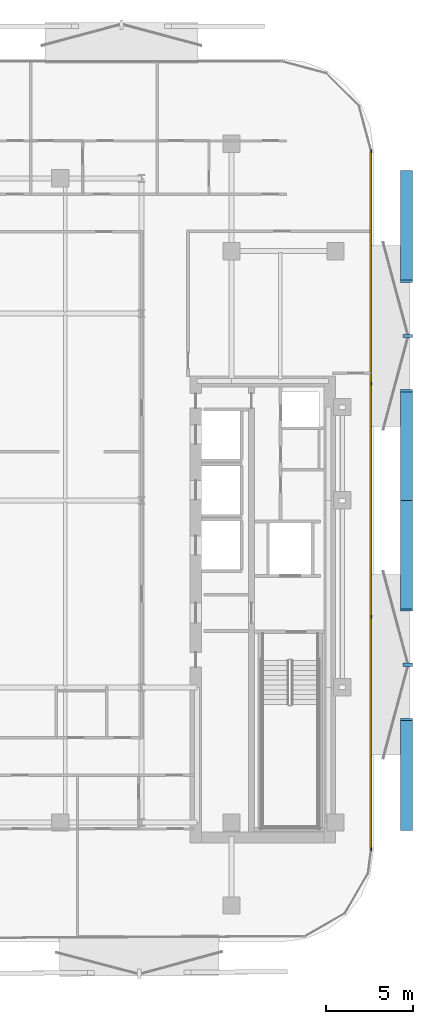
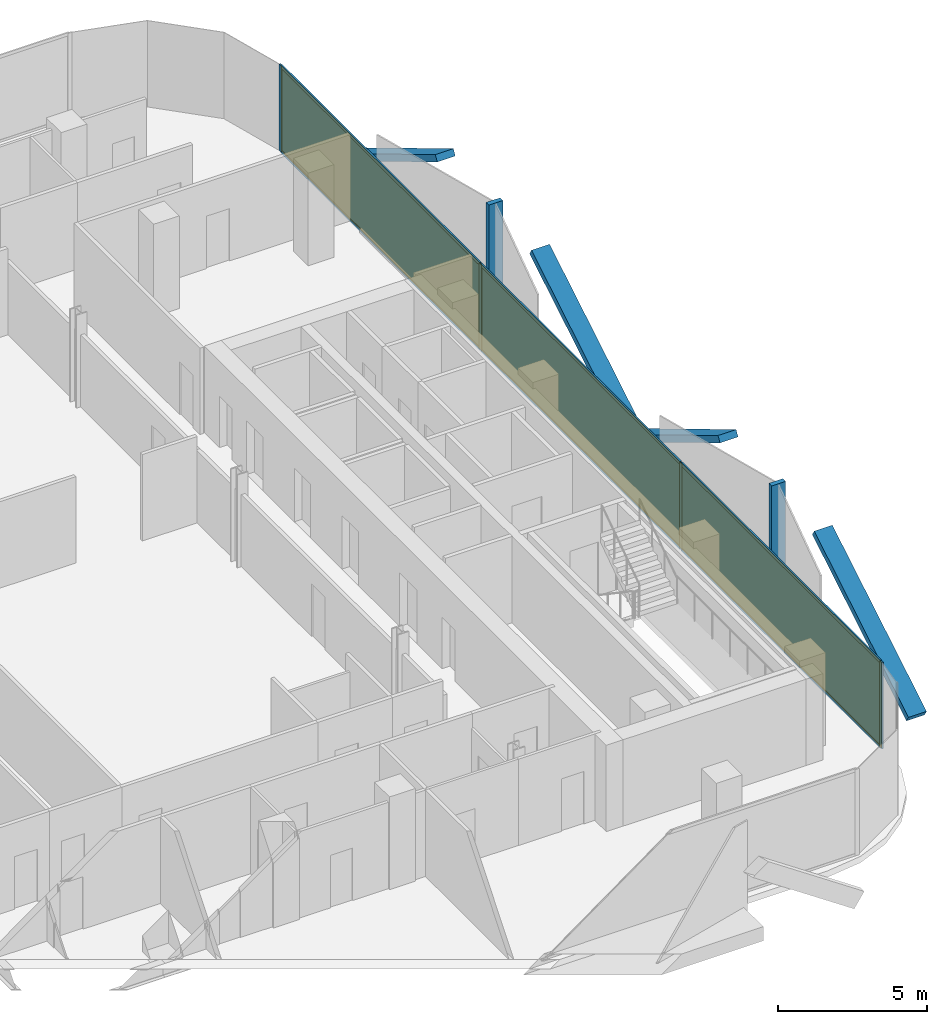
# One storey, part 11 of 17: 16 members, 3 plates, 1 curtain wall.
"""IFC4 building model written with IfcOpenShell, lengths in metres."""

from ifc_helpers import new_model, si_unit, direction, frame, frame_2d, origin, origin_2d, place, context, subcontext, project, spatial, rectangle, extrude, material, layer, layer_set, material_profile, profile_set, type_object, element, aggregate, save


model = new_model("IFC4")

# Units and contexts
model_context = context("Model", 3, precision=1e-05, world=origin(), true_north=direction((0.0, 1.0)))
body_context = subcontext(model_context, "Body", "Model", "MODEL_VIEW")
ifc_project = project(units=[si_unit("LENGTHUNIT", "METRE"), si_unit("AREAUNIT", "SQUARE_METRE"), si_unit("VOLUMEUNIT", "CUBIC_METRE"), si_unit("PLANEANGLEUNIT", "RADIAN"), si_unit("MASSUNIT", "GRAM", prefix="KILO")], contexts=[model_context])

# Member
ifc_material_1 = material(Name="Anodised Bronze Aluminium 6063-T6", Category="aluminium")
ifc_material_profile_1 = material_profile(ifc_material_1, rectangle(XDim=0.260009765625, YDim=0.699951171875, at=origin_2d()))
ifc_profile_set_1 = profile_set([ifc_material_profile_1], Name="Anodised Bronze Aluminium 6063-T6")
member_type_1 = type_object("IfcMemberType", Name="Bronze Diamond Solar-Screen Lattice Rib BDL-700", PredefinedType="MULLION", material=ifc_profile_set_1)
site_placement = place(None, origin())
building_placement = place(site_placement, origin())
storey_placement = place(building_placement, frame((0.0, 0.0, 195.39990234375)))
member_1_placement = place(storey_placement, frame((24.5, 18.99072265625, -0.1298828125), z_axis=(0.0, -0.857382035675, 0.514680527027), x_axis=(0.0, -0.514680527027, -0.857382035675)))
member_1 = element("IfcMember", 1, at=member_1_placement, type_object=member_type_1, Name="L45 Bronze Diamond Solar Screen Lattice Rib 303A", PredefinedType="MULLION", context=body_context, shape_type="SweptSolid", body=[
    extrude(rectangle(XDim=0.260009765625, YDim=0.699951171875, at=origin_2d()), origin(), (0.0, 0.0, 1.0), 7.38330078125),
])

member_2_placement = place(storey_placement, frame((24.5, 0.0, -0.1298828125), z_axis=(0.0, 0.857382035675, 0.514680527027), x_axis=(0.0, 0.514680527027, -0.857382035675)))
member_2 = element("IfcMember", 2, at=member_2_placement, type_object=member_type_1, Name="L45 Bronze Diamond Solar Screen Lattice Rib 303B", PredefinedType="MULLION", context=body_context, shape_type="SweptSolid", body=[
    extrude(rectangle(XDim=0.260009765625, YDim=0.699951171875, at=origin_2d()), origin(), (0.0, 0.0, 1.0), 7.38330078125),
])

member_3_placement = place(storey_placement, frame((24.5, 0.0, -0.1298828125), z_axis=(0.0, -0.857382035675, 0.514680527027), x_axis=(0.0, -0.514680527027, -0.857382035675)))
member_3 = element("IfcMember", 3, at=member_3_placement, type_object=member_type_1, Name="L45 Bronze Diamond Solar Screen Lattice Rib 304A", PredefinedType="MULLION", context=body_context, shape_type="SweptSolid", body=[
    extrude(rectangle(XDim=0.260009765625, YDim=0.699951171875, at=origin_2d()), origin(), (0.0, 0.0, 1.0), 7.38330078125),
])

member_4_placement = place(storey_placement, frame((24.5, -18.99072265625, -0.1298828125), z_axis=(0.0, 0.857382035675, 0.514680527027), x_axis=(0.0, 0.514680527027, -0.857382035675)))
member_4 = element("IfcMember", 4, at=member_4_placement, type_object=member_type_1, Name="L45 Bronze Diamond Solar Screen Lattice Rib 304B", PredefinedType="MULLION", context=body_context, shape_type="SweptSolid", body=[
    extrude(rectangle(XDim=0.260009765625, YDim=0.699951171875, at=origin_2d()), origin(), (0.0, 0.0, 1.0), 7.38330078125),
])

ifc_material_2 = material(Name="Anodised Bronze Aluminium 6063-T6", Category="aluminium")
ifc_material_profile_2 = material_profile(ifc_material_2, rectangle(XDim=0.179931640625, YDim=0.5400390625, at=origin_2d()))
ifc_profile_set_2 = profile_set([ifc_material_profile_2], Name="Anodised Bronze Aluminium 6063-T6")
member_type_2 = type_object("IfcMemberType", Name="Bronze Solar-Screen Vertical Fold Fin BSF-540", PredefinedType="MULLION", material=ifc_profile_set_2)
member_5_placement = place(storey_placement, frame((24.580078125, 9.495361328125, -0.1298828125), z_axis=(0.0, 0.0, 1.0), x_axis=(0.0, -1.0, 0.0)))
member_5 = element("IfcMember", 5, at=member_5_placement, type_object=member_type_2, Name="L45 Bronze Solar Screen Vertical Fin 303", PredefinedType="MULLION", context=body_context, shape_type="SweptSolid", body=[
    extrude(rectangle(XDim=0.179931640625, YDim=0.5400390625, at=origin_2d()), origin(), (0.0, 0.0, 1.0), 3.800048828125),
])

member_6_placement = place(storey_placement, frame((24.580078125, -9.495361328125, -0.1298828125), z_axis=(0.0, 0.0, 1.0), x_axis=(0.0, -1.0, 0.0)))
member_6 = element("IfcMember", 6, at=member_6_placement, type_object=member_type_2, Name="L45 Bronze Solar Screen Vertical Fin 304", PredefinedType="MULLION", context=body_context, shape_type="SweptSolid", body=[
    extrude(rectangle(XDim=0.179931640625, YDim=0.5400390625, at=origin_2d()), origin(), (0.0, 0.0, 1.0), 3.800048828125),
])

ifc_material_3 = material(Name="Anodised Bronze Aluminium 6063-T6", Category="aluminium")
ifc_material_profile_3 = material_profile(ifc_material_3, rectangle(XDim=0.06005859375, YDim=0.1650390625, at=origin_2d()))
ifc_profile_set_3 = profile_set([ifc_material_profile_3], Name="Anodised Bronze Aluminium 6063-T6")
member_type_3 = type_object("IfcMemberType", Name="CW-Z3 Mullion 60x165", PredefinedType="MULLION", material=ifc_profile_set_3)
member_7_placement = place(storey_placement, frame((22.4599609375, 20.160888671875, 0.0), z_axis=(0.0, 0.0, 1.0), x_axis=(1.0, 0.0, 0.0)))
member_7 = element("IfcMember", 7, at=member_7_placement, type_object=member_type_3, Name="CW-Z3 mullion 1", PredefinedType="MULLION", context=body_context, shape_type="SweptSolid", body=[
    extrude(rectangle(XDim=0.06005859375, YDim=0.1650390625, at=origin_2d()), origin(), (0.0, 0.0, 1.0), 3.5400390625),
])

member_8_placement = place(storey_placement, frame((22.4599609375, 6.730224609375, 0.0), z_axis=(0.0, 0.0, 1.0), x_axis=(1.0, 0.0, 0.0)))
member_8 = element("IfcMember", 8, at=member_8_placement, type_object=member_type_3, Name="CW-Z3 mullion 2", PredefinedType="MULLION", context=body_context, shape_type="SweptSolid", body=[
    extrude(rectangle(XDim=0.06005859375, YDim=0.1650390625, at=origin_2d()), origin(), (0.0, 0.0, 1.0), 3.5400390625),
])

member_9_placement = place(storey_placement, frame((22.4599609375, -6.730224609375, 0.0), z_axis=(0.0, 0.0, 1.0), x_axis=(1.0, 0.0, 0.0)))
member_9 = element("IfcMember", 9, at=member_9_placement, type_object=member_type_3, Name="CW-Z3 mullion 3", PredefinedType="MULLION", context=body_context, shape_type="SweptSolid", body=[
    extrude(rectangle(XDim=0.06005859375, YDim=0.1650390625, at=origin_2d()), origin(), (0.0, 0.0, 1.0), 3.5400390625),
])

member_10_placement = place(storey_placement, frame((22.4599609375, -20.160888671875, 0.0), z_axis=(0.0, 0.0, 1.0), x_axis=(1.0, 0.0, 0.0)))
member_10 = element("IfcMember", 10, at=member_10_placement, type_object=member_type_3, Name="CW-Z3 mullion 4", PredefinedType="MULLION", context=body_context, shape_type="SweptSolid", body=[
    extrude(rectangle(XDim=0.06005859375, YDim=0.1650390625, at=origin_2d()), origin(), (0.0, 0.0, 1.0), 3.5400390625),
])

ifc_material_4 = material(Name="Anodised Bronze Aluminium 6063-T6", Category="aluminium")
ifc_material_profile_4 = material_profile(ifc_material_4, rectangle(XDim=0.06005859375, YDim=0.1298828125, at=origin_2d()))
ifc_profile_set_4 = profile_set([ifc_material_profile_4], Name="Anodised Bronze Aluminium 6063-T6")
member_type_4 = type_object("IfcMemberType", Name="CW-Z3 Transom 60x130", PredefinedType="USERDEFINED", material=ifc_profile_set_4)
member_11_placement = place(storey_placement, frame((22.4599609375, 20.130859375, 0.030029296875), z_axis=(0.0, -1.0, 0.0), x_axis=(1.0, 0.0, 0.0)))
member_11 = element("IfcMember", 11, at=member_11_placement, type_object=member_type_4, Name="CW-Z3 transom 1.1", ObjectType="TRANSOM", PredefinedType="USERDEFINED", context=body_context, shape_type="SweptSolid", body=[
    extrude(rectangle(XDim=0.06005859375, YDim=0.1298828125, at=origin_2d()), origin(), (0.0, 0.0, 1.0), 13.37060546875),
])

member_12_placement = place(storey_placement, frame((22.4599609375, 20.130859375, 3.510009765625), z_axis=(0.0, -1.0, 0.0), x_axis=(1.0, 0.0, 0.0)))
member_12 = element("IfcMember", 12, at=member_12_placement, type_object=member_type_4, Name="CW-Z3 transom 1.2", ObjectType="TRANSOM", PredefinedType="USERDEFINED", context=body_context, shape_type="SweptSolid", body=[
    extrude(rectangle(XDim=0.06005859375, YDim=0.1298828125, at=origin_2d()), origin(), (0.0, 0.0, 1.0), 13.37060546875),
])

member_13_placement = place(storey_placement, frame((22.4599609375, 6.7001953125, 0.030029296875), z_axis=(0.0, -1.0, 0.0), x_axis=(1.0, 0.0, 0.0)))
member_13 = element("IfcMember", 13, at=member_13_placement, type_object=member_type_4, Name="CW-Z3 transom 2.1", ObjectType="TRANSOM", PredefinedType="USERDEFINED", context=body_context, shape_type="SweptSolid", body=[
    extrude(rectangle(XDim=0.06005859375, YDim=0.1298828125, at=origin_2d()), origin(), (0.0, 0.0, 1.0), 13.400390625),
])

member_14_placement = place(storey_placement, frame((22.4599609375, 6.7001953125, 3.510009765625), z_axis=(0.0, -1.0, 0.0), x_axis=(1.0, 0.0, 0.0)))
member_14 = element("IfcMember", 14, at=member_14_placement, type_object=member_type_4, Name="CW-Z3 transom 2.2", ObjectType="TRANSOM", PredefinedType="USERDEFINED", context=body_context, shape_type="SweptSolid", body=[
    extrude(rectangle(XDim=0.06005859375, YDim=0.1298828125, at=origin_2d()), origin(), (0.0, 0.0, 1.0), 13.400390625),
])

member_15_placement = place(storey_placement, frame((22.4599609375, -6.76025390625, 0.030029296875), z_axis=(0.0, -1.0, 0.0), x_axis=(1.0, 0.0, 0.0)))
member_15 = element("IfcMember", 15, at=member_15_placement, type_object=member_type_4, Name="CW-Z3 transom 3.1", ObjectType="TRANSOM", PredefinedType="USERDEFINED", context=body_context, shape_type="SweptSolid", body=[
    extrude(rectangle(XDim=0.06005859375, YDim=0.1298828125, at=origin_2d()), origin(), (0.0, 0.0, 1.0), 13.37060546875),
])

member_16_placement = place(storey_placement, frame((22.4599609375, -6.76025390625, 3.510009765625), z_axis=(0.0, -1.0, 0.0), x_axis=(1.0, 0.0, 0.0)))
member_16 = element("IfcMember", 16, at=member_16_placement, type_object=member_type_4, Name="CW-Z3 transom 3.2", ObjectType="TRANSOM", PredefinedType="USERDEFINED", context=body_context, shape_type="SweptSolid", body=[
    extrude(rectangle(XDim=0.06005859375, YDim=0.1298828125, at=origin_2d()), origin(), (0.0, 0.0, 1.0), 13.37060546875),
])

# Plate
ifc_material_5 = material(Name="Low-E Solar Control Laminated Glass", Category="glass")
ifc_layer_1 = layer(ifc_material_5, 0.030029296875, Name="Low-E Solar Control Laminated Glass")
ifc_layer_set_1 = layer_set([ifc_layer_1], Name="Low-E Solar Control Laminated Glass")
plate_type = type_object("IfcPlateType", Name="CW-Z3 Low-E Double Glazed Panel 30mm", PredefinedType="CURTAIN_PANEL", material=ifc_layer_set_1)
plate_1_placement = place(storey_placement, frame((22.4599609375, 13.445556640625, 0.06005859375), z_axis=(0.0, 0.0, 1.0), x_axis=(0.0, -1.0, 0.0)))
plate_1 = element("IfcPlate", 17, at=plate_1_placement, type_object=plate_type, Name="CW-Z3 panel 1.1", PredefinedType="CURTAIN_PANEL", context=body_context, shape_type="SweptSolid", body=[
    extrude(rectangle(XDim=13.37060546875, YDim=0.030029296875, at=origin_2d()), origin(), (0.0, 0.0, 1.0), 3.419921875),
])

plate_2_placement = place(storey_placement, frame((22.4599609375, 0.0, 0.06005859375), z_axis=(0.0, 0.0, 1.0), x_axis=(0.0, -1.0, 0.0)))
plate_2 = element("IfcPlate", 18, at=plate_2_placement, type_object=plate_type, Name="CW-Z3 panel 2.1", PredefinedType="CURTAIN_PANEL", context=body_context, shape_type="SweptSolid", body=[
    extrude(rectangle(XDim=13.400634765625, YDim=0.030029296875, at=origin_2d()), origin(), (0.0, 0.0, 1.0), 3.419921875),
])

plate_3_placement = place(storey_placement, frame((22.4599609375, -13.445556640625, 0.06005859375), z_axis=(0.0, 0.0, 1.0), x_axis=(0.0, -1.0, 0.0)))
plate_3 = element("IfcPlate", 19, at=plate_3_placement, type_object=plate_type, Name="CW-Z3 panel 3.1", PredefinedType="CURTAIN_PANEL", context=body_context, shape_type="SweptSolid", body=[
    extrude(rectangle(XDim=13.37060546875, YDim=0.030029296875, at=origin_2d()), origin(), (0.0, 0.0, 1.0), 3.419921875),
])

# Site, building, storey
site = spatial("IfcSite", under=ifc_project, at=site_placement, CompositionType="ELEMENT")
building = spatial("IfcBuilding", under=site, at=building_placement, Name="Khairoan Windgate Tower", CompositionType="ELEMENT")
storey = spatial("IfcBuildingStorey", under=building, at=storey_placement, Name="L45", CompositionType="ELEMENT", Elevation=195.39990234375)

# Curtain wall
ifc_material_6 = material(Name="Anodised Bronze Aluminium 6063-T6", Category="aluminium")
ifc_layer_2 = layer(ifc_material_6, 0.1650390625, Name="Anodised Bronze Aluminium 6063-T6")
ifc_layer_set_2 = layer_set([ifc_layer_2], Name="Anodised Bronze Aluminium 6063-T6")
curtain_wall_type = type_object("IfcCurtainWallType", Name="Luxury Hotel Acoustic Curtain Wall CW-Z3", PredefinedType="NOTDEFINED", material=ifc_layer_set_2)
curtain_wall_placement = place(storey_placement, frame((22.4599609375, 20.19091796875, 0.0), z_axis=(0.0, 0.0, 1.0), x_axis=(0.0, -1.0, 0.0)))
curtain_wall = element("IfcCurtainWall", 20, at=curtain_wall_placement, inside=storey, type_object=curtain_wall_type, Name="L45 Unitised Curtain Wall 13", PredefinedType="NOTDEFINED", context=body_context, shape_type="SweptSolid", body=[
    extrude(rectangle(XDim=40.3818359375, YDim=0.010009765625, at=frame_2d((20.19091796875, 0.0))), origin(), (0.0, 0.0, 1.0), 3.5400390625),
])

aggregate(curtain_wall, [member_7, member_8, member_9, member_10, member_11, member_12, plate_1, member_13, member_14, plate_2, member_15, member_16, plate_3, member_1, member_2, member_5, member_3, member_4, member_6])

save(model, "model.ifc")
